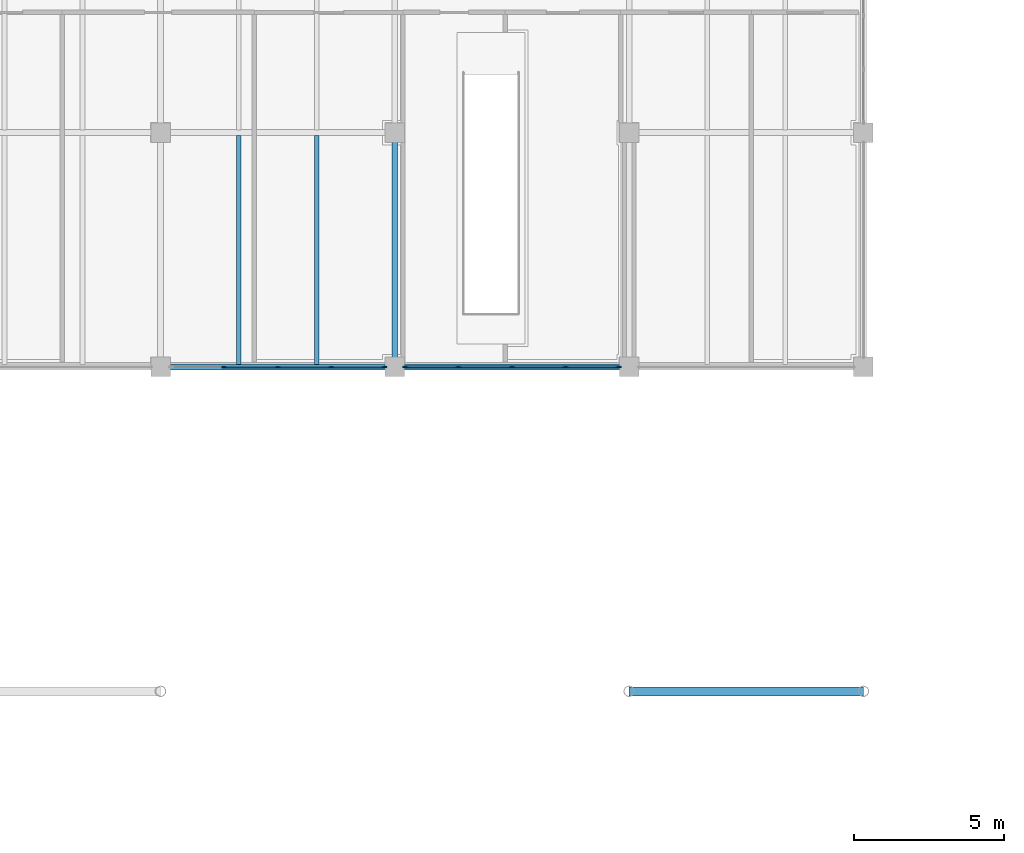
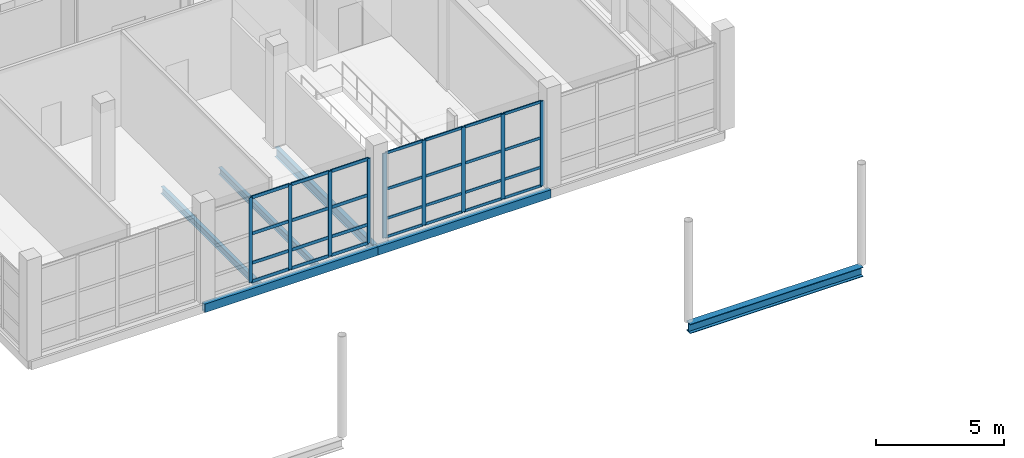
# One storey, part 39 of 138: 37 members, 6 beams, 2 elements without a shape of their own.
"""IFC4 building model written with IfcOpenShell, lengths in metres."""

from ifc_helpers import new_model, si_unit, direction, frame, origin, origin_2d, place, context, subcontext, project, spatial, rectangle, hollow_rectangle, i_section, extrude, material, layer, layer_set, material_profile, profile_set, type_object, element, aggregate, save


model = new_model("IFC4")

# Units and contexts
model_context = context("Model", 3, precision=1e-05, world=origin(), true_north=direction((0.0, 1.0)))
body_context = subcontext(model_context, "Body", "Model", "MODEL_VIEW")
ifc_project = project(units=[si_unit("LENGTHUNIT", "METRE"), si_unit("AREAUNIT", "SQUARE_METRE"), si_unit("VOLUMEUNIT", "CUBIC_METRE"), si_unit("PLANEANGLEUNIT", "RADIAN"), si_unit("MASSUNIT", "GRAM", prefix="KILO")], contexts=[model_context])

# Site, building, storey
site_placement = place(None, origin())
site = spatial("IfcSite", under=ifc_project, at=site_placement, CompositionType="ELEMENT")
building_placement = place(site_placement, origin())
building = spatial("IfcBuilding", under=site, at=building_placement, Name="Celorna Specialist Clinic", CompositionType="ELEMENT")
storey_placement = place(building_placement, frame((0.0, 0.0, 4.800048828125)))
storey = spatial("IfcBuildingStorey", under=building, at=storey_placement, Name="L01", CompositionType="ELEMENT", Elevation=4.800048828125)

# Beams
ifc_material_1 = material(Name="Steel S355", Category="steel")
ifc_material_profile_1 = material_profile(ifc_material_1, i_section(OverallWidth=0.300048828125, OverallDepth=0.449951171875, WebThickness=0.013916015625, FlangeThickness=0.02587890625, at=origin_2d()), Name="HE 450 B")
ifc_profile_set_1 = profile_set([ifc_material_profile_1], Name="Steel S355")
beam_type_1 = type_object("IfcBeamType", Name="BM-05", PredefinedType="BEAM", material=ifc_profile_set_1)
beam_1_placement = place(storey_placement, frame((78.0, 8.699951171875, -0.324951171875), z_axis=(1.0, 0.0, 0.0), x_axis=(0.0, 1.0, 0.0)))
element("IfcBeam", 1, at=beam_1_placement, inside=storey, type_object=beam_type_1, Name="Portico lateral tie girder BM-05 #2", PredefinedType="BEAM", context=body_context, shape_type="SweptSolid", body=[
    extrude(i_section(OverallWidth=0.300048828125, OverallDepth=0.449951171875, WebThickness=0.013916015625, FlangeThickness=0.02587890625, at=origin_2d()), origin(), (0.0, 0.0, 1.0), 7.800048828125),
])
ifc_material_profile_2 = material_profile(ifc_material_1, i_section(OverallWidth=0.18994140625, OverallDepth=0.449951171875, WebThickness=0.009521484375, FlangeThickness=0.0146484375, at=origin_2d()), Name="IPE 450")
ifc_profile_set_2 = profile_set([ifc_material_profile_2], Name="Steel S355")
beam_type_2 = type_object("IfcBeamType", Name="BM-09", PredefinedType="BEAM", material=ifc_profile_set_2)
beam_2_placement = place(storey_placement, frame((70.199951171875, 19.5, -0.485107421875), z_axis=(0.0, 1.0, 0.0), x_axis=(-1.0, 0.0, 0.0)))
element("IfcBeam", 2, at=beam_2_placement, inside=storey, type_object=beam_type_2, Name="Transverse girder BM-09 #2084", PredefinedType="BEAM", context=body_context, shape_type="SweptSolid", body=[
    extrude(i_section(OverallWidth=0.18994140625, OverallDepth=0.449951171875, WebThickness=0.009521484375, FlangeThickness=0.0146484375, at=origin_2d()), origin(), (0.0, 0.0, 1.0), 7.800048828125),
])
ifc_material_profile_3 = material_profile(ifc_material_1, i_section(OverallWidth=0.159912109375, OverallDepth=0.330078125, WebThickness=0.007568359375, FlangeThickness=0.011474609375, at=origin_2d()), Name="IPE 330")
ifc_profile_set_3 = profile_set([ifc_material_profile_3], Name="Steel S355")
beam_type_3 = type_object("IfcBeamType", Name="BM-12", PredefinedType="JOIST", material=ifc_profile_set_3)
for number, where, z_axis, x_axis, name in (
    (3, (65.0, 19.587890625, -0.425048828125), (0.0, 1.0, 0.0), (-1.0, 0.0, 0.0), "Secondary floor joist BM-12 #2098"),
    (4, (67.60009765625, 19.587890625, -0.425048828125), (0.0, 1.0, 0.0), (-1.0, 0.0, 0.0), "Secondary floor joist BM-12 #2099"),
):
    element("IfcBeam", number, at=place(storey_placement, frame(where, z_axis=z_axis, x_axis=x_axis)), inside=storey, type_object=beam_type_3, Name=name, PredefinedType="JOIST", context=body_context, shape_type="SweptSolid", body=[
        extrude(i_section(OverallWidth=0.159912109375, OverallDepth=0.330078125, WebThickness=0.007568359375, FlangeThickness=0.011474609375, at=origin_2d()), origin(), (0.0, 0.0, 1.0), 7.6240234375),
    ])
ifc_material_profile_4 = material_profile(ifc_material_1, hollow_rectangle(XDim=0.199951171875, YDim=0.39990234375, WallThickness=0.011962890625, at=origin_2d()), Name="RHS 200x400x12")
ifc_profile_set_4 = profile_set([ifc_material_profile_4], Name="Steel S355")
beam_type_4 = type_object("IfcBeamType", Name="BM-15", PredefinedType="SPANDREL", material=ifc_profile_set_4)
for number, where, z_axis, x_axis, name in (
    (5, (62.39990234375, 19.5, -0.4599609375), (1.0, 0.0, 0.0), (0.0, 1.0, 0.0), "Spandrel beam BM-15 #2065"),
    (6, (70.199951171875, 19.5, -0.4599609375), (1.0, 0.0, 0.0), (0.0, 1.0, 0.0), "Spandrel beam BM-15 #2066"),
):
    element("IfcBeam", number, at=place(storey_placement, frame(where, z_axis=z_axis, x_axis=x_axis)), inside=storey, type_object=beam_type_4, Name=name, PredefinedType="SPANDREL", context=body_context, shape_type="SweptSolid", body=[
        extrude(hollow_rectangle(XDim=0.199951171875, YDim=0.39990234375, WallThickness=0.011962890625, at=origin_2d()), origin(), (0.0, 0.0, 1.0), 7.800048828125),
    ])

# Curtain wall, members
ifc_material_2 = material(Name="Thermally broken aluminium and solar-control glass curtain wall", Category="aluminium")
ifc_layer_1 = layer(ifc_material_2, 0.159912109375, Name="Thermally broken aluminium and solar-control glass curtain wall")
ifc_layer_set_1 = layer_set([ifc_layer_1], Name="Thermally broken aluminium and solar-control glass curtain wall")
curtain_wall_type_1 = type_object("IfcCurtainWallType", Name="CW-106", PredefinedType="NOTDEFINED", material=ifc_layer_set_1)
curtain_wall_1_placement = place(storey_placement, origin())
curtain_wall_1 = element("IfcCurtainWall", 7, at=curtain_wall_1_placement, inside=storey, type_object=curtain_wall_type_1, Name="Curtain wall CW-106 #187", PredefinedType="NOTDEFINED")
ifc_material_3 = material(Name="Anodized aluminium mullion", Category="aluminium")
ifc_material_profile_5 = material_profile(ifc_material_3, rectangle(XDim=0.050048828125, YDim=0.159912109375, at=origin_2d()), Name="ALU MULLION 50x160")
ifc_profile_set_5 = profile_set([ifc_material_profile_5], Name="Anodized aluminium mullion")
member_type_1 = type_object("IfcMemberType", Name="ML-01", PredefinedType="MULLION", material=ifc_profile_set_5)
member_1_placement = place(storey_placement, frame((69.845947265625, 19.5, 0.0), z_axis=(0.0, 0.0, 1.0), x_axis=(0.0, -1.0, 0.0)))
member_1 = element("IfcMember", 8, at=member_1_placement, type_object=member_type_1, Name="CW-106 mullion 1", PredefinedType="MULLION", context=body_context, shape_type="SweptSolid", body=[
    extrude(rectangle(XDim=0.050048828125, YDim=0.159912109375, at=origin_2d()), origin(), (0.0, 0.0, 1.0), 4.0400390625),
])
member_2_placement = place(storey_placement, frame((68.08544921875, 19.5, 0.0), z_axis=(0.0, 0.0, 1.0), x_axis=(0.0, -1.0, 0.0)))
member_2 = element("IfcMember", 9, at=member_2_placement, type_object=member_type_1, Name="CW-106 mullion 2", PredefinedType="MULLION", context=body_context, shape_type="SweptSolid", body=[
    extrude(rectangle(XDim=0.050048828125, YDim=0.159912109375, at=origin_2d()), origin(), (0.0, 0.0, 1.0), 4.0400390625),
])
member_3_placement = place(storey_placement, frame((66.300048828125, 19.5, 0.0), z_axis=(0.0, 0.0, 1.0), x_axis=(0.0, -1.0, 0.0)))
member_3 = element("IfcMember", 10, at=member_3_placement, type_object=member_type_1, Name="CW-106 mullion 3", PredefinedType="MULLION", context=body_context, shape_type="SweptSolid", body=[
    extrude(rectangle(XDim=0.050048828125, YDim=0.159912109375, at=origin_2d()), origin(), (0.0, 0.0, 1.0), 4.0400390625),
])
member_4_placement = place(storey_placement, frame((64.514404296875, 19.5, 0.0), z_axis=(0.0, 0.0, 1.0), x_axis=(0.0, -1.0, 0.0)))
member_4 = element("IfcMember", 11, at=member_4_placement, type_object=member_type_1, Name="CW-106 mullion 4", PredefinedType="MULLION", context=body_context, shape_type="SweptSolid", body=[
    extrude(rectangle(XDim=0.050048828125, YDim=0.159912109375, at=origin_2d()), origin(), (0.0, 0.0, 1.0), 4.0400390625),
])

ifc_layer_2 = layer(ifc_material_2, 0.159912109375, Name="Thermally broken aluminium and solar-control glass curtain wall")
ifc_layer_set_2 = layer_set([ifc_layer_2], Name="Thermally broken aluminium and solar-control glass curtain wall")
curtain_wall_type_2 = type_object("IfcCurtainWallType", Name="CW-107", PredefinedType="NOTDEFINED", material=ifc_layer_set_2)
curtain_wall_2_placement = place(storey_placement, origin())
curtain_wall_2 = element("IfcCurtainWall", 12, at=curtain_wall_2_placement, inside=storey, type_object=curtain_wall_type_2, Name="Curtain wall CW-107 #188", PredefinedType="NOTDEFINED")
ifc_material_profile_6 = material_profile(ifc_material_3, rectangle(XDim=0.050048828125, YDim=0.179931640625, at=origin_2d()), Name="ALU MULLION 50x180")
ifc_profile_set_6 = profile_set([ifc_material_profile_6], Name="Anodized aluminium mullion")
member_type_2 = type_object("IfcMemberType", Name="ML-02", PredefinedType="MULLION", material=ifc_profile_set_6)
member_5_placement = place(storey_placement, frame((77.64599609375, 19.5, 0.0), z_axis=(0.0, 0.0, 1.0), x_axis=(0.0, -1.0, 0.0)))
member_5 = element("IfcMember", 13, at=member_5_placement, type_object=member_type_2, Name="CW-107 mullion 1", PredefinedType="MULLION", context=body_context, shape_type="SweptSolid", body=[
    extrude(rectangle(XDim=0.050048828125, YDim=0.179931640625, at=origin_2d()), origin(), (0.0, 0.0, 1.0), 4.0400390625),
])
member_6_placement = place(storey_placement, frame((75.885498046875, 19.5, 0.0), z_axis=(0.0, 0.0, 1.0), x_axis=(0.0, -1.0, 0.0)))
member_6 = element("IfcMember", 14, at=member_6_placement, type_object=member_type_2, Name="CW-107 mullion 2", PredefinedType="MULLION", context=body_context, shape_type="SweptSolid", body=[
    extrude(rectangle(XDim=0.050048828125, YDim=0.179931640625, at=origin_2d()), origin(), (0.0, 0.0, 1.0), 4.0400390625),
])
member_7_placement = place(storey_placement, frame((74.10009765625, 19.5, 0.0), z_axis=(0.0, 0.0, 1.0), x_axis=(0.0, -1.0, 0.0)))
member_7 = element("IfcMember", 15, at=member_7_placement, type_object=member_type_2, Name="CW-107 mullion 3", PredefinedType="MULLION", context=body_context, shape_type="SweptSolid", body=[
    extrude(rectangle(XDim=0.050048828125, YDim=0.179931640625, at=origin_2d()), origin(), (0.0, 0.0, 1.0), 4.0400390625),
])
member_8_placement = place(storey_placement, frame((72.314453125, 19.5, 0.0), z_axis=(0.0, 0.0, 1.0), x_axis=(0.0, -1.0, 0.0)))
member_8 = element("IfcMember", 16, at=member_8_placement, type_object=member_type_2, Name="CW-107 mullion 4", PredefinedType="MULLION", context=body_context, shape_type="SweptSolid", body=[
    extrude(rectangle(XDim=0.050048828125, YDim=0.179931640625, at=origin_2d()), origin(), (0.0, 0.0, 1.0), 4.0400390625),
])
member_9_placement = place(storey_placement, frame((70.553955078125, 19.5, 0.0), z_axis=(0.0, 0.0, 1.0), x_axis=(0.0, -1.0, 0.0)))
member_9 = element("IfcMember", 17, at=member_9_placement, type_object=member_type_2, Name="CW-107 mullion 5", PredefinedType="MULLION", context=body_context, shape_type="SweptSolid", body=[
    extrude(rectangle(XDim=0.050048828125, YDim=0.179931640625, at=origin_2d()), origin(), (0.0, 0.0, 1.0), 4.0400390625),
])
ifc_material_4 = material(Name="Anodized aluminium transom", Category="aluminium")
ifc_material_profile_7 = material_profile(ifc_material_4, rectangle(XDim=0.050048828125, YDim=0.1298828125, at=origin_2d()), Name="ALU TRANSOM 50x130")
ifc_profile_set_7 = profile_set([ifc_material_profile_7], Name="Anodized aluminium transom")
member_type_3 = type_object("IfcMemberType", Name="TR-01", PredefinedType="USERDEFINED", material=ifc_profile_set_7)
member_10_placement = place(storey_placement, frame((77.62109375, 19.5, 0.02490234375), z_axis=(-1.0, 0.0, 0.0), x_axis=(0.0, -1.0, 0.0)))
member_10 = element("IfcMember", 18, at=member_10_placement, type_object=member_type_3, Name="CW-107 transom 1.1", ObjectType="TRANSOM", PredefinedType="USERDEFINED", context=body_context, shape_type="SweptSolid", body=[
    extrude(rectangle(XDim=0.050048828125, YDim=0.1298828125, at=origin_2d()), origin(), (0.0, 0.0, 1.0), 1.710693359375),
])
member_11_placement = place(storey_placement, frame((77.62109375, 19.5, 0.89990234375), z_axis=(-1.0, 0.0, 0.0), x_axis=(0.0, -1.0, 0.0)))
member_11 = element("IfcMember", 19, at=member_11_placement, type_object=member_type_3, Name="CW-107 transom 1.2", ObjectType="TRANSOM", PredefinedType="USERDEFINED", context=body_context, shape_type="SweptSolid", body=[
    extrude(rectangle(XDim=0.050048828125, YDim=0.1298828125, at=origin_2d()), origin(), (0.0, 0.0, 1.0), 1.710693359375),
])
member_12_placement = place(storey_placement, frame((77.62109375, 19.5, 2.300048828125), z_axis=(-1.0, 0.0, 0.0), x_axis=(0.0, -1.0, 0.0)))
member_12 = element("IfcMember", 20, at=member_12_placement, type_object=member_type_3, Name="CW-107 transom 1.3", ObjectType="TRANSOM", PredefinedType="USERDEFINED", context=body_context, shape_type="SweptSolid", body=[
    extrude(rectangle(XDim=0.050048828125, YDim=0.1298828125, at=origin_2d()), origin(), (0.0, 0.0, 1.0), 1.710693359375),
])
member_13_placement = place(storey_placement, frame((77.62109375, 19.5, 4.014892578125), z_axis=(-1.0, 0.0, 0.0), x_axis=(0.0, -1.0, 0.0)))
member_13 = element("IfcMember", 21, at=member_13_placement, type_object=member_type_3, Name="CW-107 transom 1.4", ObjectType="TRANSOM", PredefinedType="USERDEFINED", context=body_context, shape_type="SweptSolid", body=[
    extrude(rectangle(XDim=0.050048828125, YDim=0.1298828125, at=origin_2d()), origin(), (0.0, 0.0, 1.0), 1.710693359375),
])
member_14_placement = place(storey_placement, frame((75.860595703125, 19.5, 0.02490234375), z_axis=(-1.0, 0.0, 0.0), x_axis=(0.0, -1.0, 0.0)))
member_14 = element("IfcMember", 22, at=member_14_placement, type_object=member_type_3, Name="CW-107 transom 2.1", ObjectType="TRANSOM", PredefinedType="USERDEFINED", context=body_context, shape_type="SweptSolid", body=[
    extrude(rectangle(XDim=0.050048828125, YDim=0.1298828125, at=origin_2d()), origin(), (0.0, 0.0, 1.0), 1.735595703125),
])
member_15_placement = place(storey_placement, frame((75.860595703125, 19.5, 0.89990234375), z_axis=(-1.0, 0.0, 0.0), x_axis=(0.0, -1.0, 0.0)))
member_15 = element("IfcMember", 23, at=member_15_placement, type_object=member_type_3, Name="CW-107 transom 2.2", ObjectType="TRANSOM", PredefinedType="USERDEFINED", context=body_context, shape_type="SweptSolid", body=[
    extrude(rectangle(XDim=0.050048828125, YDim=0.1298828125, at=origin_2d()), origin(), (0.0, 0.0, 1.0), 1.735595703125),
])
member_16_placement = place(storey_placement, frame((75.860595703125, 19.5, 2.300048828125), z_axis=(-1.0, 0.0, 0.0), x_axis=(0.0, -1.0, 0.0)))
member_16 = element("IfcMember", 24, at=member_16_placement, type_object=member_type_3, Name="CW-107 transom 2.3", ObjectType="TRANSOM", PredefinedType="USERDEFINED", context=body_context, shape_type="SweptSolid", body=[
    extrude(rectangle(XDim=0.050048828125, YDim=0.1298828125, at=origin_2d()), origin(), (0.0, 0.0, 1.0), 1.735595703125),
])
member_17_placement = place(storey_placement, frame((75.860595703125, 19.5, 4.014892578125), z_axis=(-1.0, 0.0, 0.0), x_axis=(0.0, -1.0, 0.0)))
member_17 = element("IfcMember", 25, at=member_17_placement, type_object=member_type_3, Name="CW-107 transom 2.4", ObjectType="TRANSOM", PredefinedType="USERDEFINED", context=body_context, shape_type="SweptSolid", body=[
    extrude(rectangle(XDim=0.050048828125, YDim=0.1298828125, at=origin_2d()), origin(), (0.0, 0.0, 1.0), 1.735595703125),
])
member_18_placement = place(storey_placement, frame((74.074951171875, 19.5, 0.02490234375), z_axis=(-1.0, 0.0, 0.0), x_axis=(0.0, -1.0, 0.0)))
member_18 = element("IfcMember", 26, at=member_18_placement, type_object=member_type_3, Name="CW-107 transom 3.1", ObjectType="TRANSOM", PredefinedType="USERDEFINED", context=body_context, shape_type="SweptSolid", body=[
    extrude(rectangle(XDim=0.050048828125, YDim=0.1298828125, at=origin_2d()), origin(), (0.0, 0.0, 1.0), 1.7353515625),
])
member_19_placement = place(storey_placement, frame((74.074951171875, 19.5, 0.89990234375), z_axis=(-1.0, 0.0, 0.0), x_axis=(0.0, -1.0, 0.0)))
member_19 = element("IfcMember", 27, at=member_19_placement, type_object=member_type_3, Name="CW-107 transom 3.2", ObjectType="TRANSOM", PredefinedType="USERDEFINED", context=body_context, shape_type="SweptSolid", body=[
    extrude(rectangle(XDim=0.050048828125, YDim=0.1298828125, at=origin_2d()), origin(), (0.0, 0.0, 1.0), 1.7353515625),
])
member_20_placement = place(storey_placement, frame((74.074951171875, 19.5, 2.300048828125), z_axis=(-1.0, 0.0, 0.0), x_axis=(0.0, -1.0, 0.0)))
member_20 = element("IfcMember", 28, at=member_20_placement, type_object=member_type_3, Name="CW-107 transom 3.3", ObjectType="TRANSOM", PredefinedType="USERDEFINED", context=body_context, shape_type="SweptSolid", body=[
    extrude(rectangle(XDim=0.050048828125, YDim=0.1298828125, at=origin_2d()), origin(), (0.0, 0.0, 1.0), 1.7353515625),
])
member_21_placement = place(storey_placement, frame((74.074951171875, 19.5, 4.014892578125), z_axis=(-1.0, 0.0, 0.0), x_axis=(0.0, -1.0, 0.0)))
member_21 = element("IfcMember", 29, at=member_21_placement, type_object=member_type_3, Name="CW-107 transom 3.4", ObjectType="TRANSOM", PredefinedType="USERDEFINED", context=body_context, shape_type="SweptSolid", body=[
    extrude(rectangle(XDim=0.050048828125, YDim=0.1298828125, at=origin_2d()), origin(), (0.0, 0.0, 1.0), 1.7353515625),
])
member_22_placement = place(storey_placement, frame((72.28955078125, 19.5, 0.02490234375), z_axis=(-1.0, 0.0, 0.0), x_axis=(0.0, -1.0, 0.0)))
member_22 = element("IfcMember", 30, at=member_22_placement, type_object=member_type_3, Name="CW-107 transom 4.1", ObjectType="TRANSOM", PredefinedType="USERDEFINED", context=body_context, shape_type="SweptSolid", body=[
    extrude(rectangle(XDim=0.050048828125, YDim=0.1298828125, at=origin_2d()), origin(), (0.0, 0.0, 1.0), 1.71044921875),
])
member_23_placement = place(storey_placement, frame((72.28955078125, 19.5, 0.89990234375), z_axis=(-1.0, 0.0, 0.0), x_axis=(0.0, -1.0, 0.0)))
member_23 = element("IfcMember", 31, at=member_23_placement, type_object=member_type_3, Name="CW-107 transom 4.2", ObjectType="TRANSOM", PredefinedType="USERDEFINED", context=body_context, shape_type="SweptSolid", body=[
    extrude(rectangle(XDim=0.050048828125, YDim=0.1298828125, at=origin_2d()), origin(), (0.0, 0.0, 1.0), 1.71044921875),
])
member_24_placement = place(storey_placement, frame((72.28955078125, 19.5, 2.300048828125), z_axis=(-1.0, 0.0, 0.0), x_axis=(0.0, -1.0, 0.0)))
member_24 = element("IfcMember", 32, at=member_24_placement, type_object=member_type_3, Name="CW-107 transom 4.3", ObjectType="TRANSOM", PredefinedType="USERDEFINED", context=body_context, shape_type="SweptSolid", body=[
    extrude(rectangle(XDim=0.050048828125, YDim=0.1298828125, at=origin_2d()), origin(), (0.0, 0.0, 1.0), 1.71044921875),
])
member_25_placement = place(storey_placement, frame((72.28955078125, 19.5, 4.014892578125), z_axis=(-1.0, 0.0, 0.0), x_axis=(0.0, -1.0, 0.0)))
member_25 = element("IfcMember", 33, at=member_25_placement, type_object=member_type_3, Name="CW-107 transom 4.4", ObjectType="TRANSOM", PredefinedType="USERDEFINED", context=body_context, shape_type="SweptSolid", body=[
    extrude(rectangle(XDim=0.050048828125, YDim=0.1298828125, at=origin_2d()), origin(), (0.0, 0.0, 1.0), 1.71044921875),
])
aggregate(curtain_wall_2, [member_5, member_6, member_7, member_8, member_9, member_10, member_11, member_12, member_13, member_14, member_15, member_16, member_17, member_18, member_19, member_20, member_21, member_22, member_23, member_24, member_25])

# Member
ifc_material_profile_8 = material_profile(ifc_material_4, rectangle(XDim=0.050048828125, YDim=0.14990234375, at=origin_2d()), Name="ALU TRANSOM 50x150")
ifc_profile_set_8 = profile_set([ifc_material_profile_8], Name="Anodized aluminium transom")
member_type_4 = type_object("IfcMemberType", Name="TR-02", PredefinedType="USERDEFINED", material=ifc_profile_set_8)
member_26_placement = place(storey_placement, frame((69.821044921875, 19.5, 0.02490234375), z_axis=(-1.0, 0.0, 0.0), x_axis=(0.0, -1.0, 0.0)))
member_26 = element("IfcMember", 34, at=member_26_placement, type_object=member_type_4, Name="CW-106 transom 1.1", ObjectType="TRANSOM", PredefinedType="USERDEFINED", context=body_context, shape_type="SweptSolid", body=[
    extrude(rectangle(XDim=0.050048828125, YDim=0.14990234375, at=origin_2d()), origin(), (0.0, 0.0, 1.0), 1.71044921875),
])

member_27_placement = place(storey_placement, frame((69.821044921875, 19.5, 0.89990234375), z_axis=(-1.0, 0.0, 0.0), x_axis=(0.0, -1.0, 0.0)))
member_27 = element("IfcMember", 35, at=member_27_placement, type_object=member_type_4, Name="CW-106 transom 1.2", ObjectType="TRANSOM", PredefinedType="USERDEFINED", context=body_context, shape_type="SweptSolid", body=[
    extrude(rectangle(XDim=0.050048828125, YDim=0.14990234375, at=origin_2d()), origin(), (0.0, 0.0, 1.0), 1.71044921875),
])

member_28_placement = place(storey_placement, frame((69.821044921875, 19.5, 2.300048828125), z_axis=(-1.0, 0.0, 0.0), x_axis=(0.0, -1.0, 0.0)))
member_28 = element("IfcMember", 36, at=member_28_placement, type_object=member_type_4, Name="CW-106 transom 1.3", ObjectType="TRANSOM", PredefinedType="USERDEFINED", context=body_context, shape_type="SweptSolid", body=[
    extrude(rectangle(XDim=0.050048828125, YDim=0.14990234375, at=origin_2d()), origin(), (0.0, 0.0, 1.0), 1.71044921875),
])

member_29_placement = place(storey_placement, frame((69.821044921875, 19.5, 4.014892578125), z_axis=(-1.0, 0.0, 0.0), x_axis=(0.0, -1.0, 0.0)))
member_29 = element("IfcMember", 37, at=member_29_placement, type_object=member_type_4, Name="CW-106 transom 1.4", ObjectType="TRANSOM", PredefinedType="USERDEFINED", context=body_context, shape_type="SweptSolid", body=[
    extrude(rectangle(XDim=0.050048828125, YDim=0.14990234375, at=origin_2d()), origin(), (0.0, 0.0, 1.0), 1.71044921875),
])

member_30_placement = place(storey_placement, frame((68.060546875, 19.5, 0.02490234375), z_axis=(-1.0, 0.0, 0.0), x_axis=(0.0, -1.0, 0.0)))
member_30 = element("IfcMember", 38, at=member_30_placement, type_object=member_type_4, Name="CW-106 transom 2.1", ObjectType="TRANSOM", PredefinedType="USERDEFINED", context=body_context, shape_type="SweptSolid", body=[
    extrude(rectangle(XDim=0.050048828125, YDim=0.14990234375, at=origin_2d()), origin(), (0.0, 0.0, 1.0), 1.735595703125),
])

member_31_placement = place(storey_placement, frame((68.060546875, 19.5, 0.89990234375), z_axis=(-1.0, 0.0, 0.0), x_axis=(0.0, -1.0, 0.0)))
member_31 = element("IfcMember", 39, at=member_31_placement, type_object=member_type_4, Name="CW-106 transom 2.2", ObjectType="TRANSOM", PredefinedType="USERDEFINED", context=body_context, shape_type="SweptSolid", body=[
    extrude(rectangle(XDim=0.050048828125, YDim=0.14990234375, at=origin_2d()), origin(), (0.0, 0.0, 1.0), 1.735595703125),
])

member_32_placement = place(storey_placement, frame((68.060546875, 19.5, 2.300048828125), z_axis=(-1.0, 0.0, 0.0), x_axis=(0.0, -1.0, 0.0)))
member_32 = element("IfcMember", 40, at=member_32_placement, type_object=member_type_4, Name="CW-106 transom 2.3", ObjectType="TRANSOM", PredefinedType="USERDEFINED", context=body_context, shape_type="SweptSolid", body=[
    extrude(rectangle(XDim=0.050048828125, YDim=0.14990234375, at=origin_2d()), origin(), (0.0, 0.0, 1.0), 1.735595703125),
])

member_33_placement = place(storey_placement, frame((68.060546875, 19.5, 4.014892578125), z_axis=(-1.0, 0.0, 0.0), x_axis=(0.0, -1.0, 0.0)))
member_33 = element("IfcMember", 41, at=member_33_placement, type_object=member_type_4, Name="CW-106 transom 2.4", ObjectType="TRANSOM", PredefinedType="USERDEFINED", context=body_context, shape_type="SweptSolid", body=[
    extrude(rectangle(XDim=0.050048828125, YDim=0.14990234375, at=origin_2d()), origin(), (0.0, 0.0, 1.0), 1.735595703125),
])

member_34_placement = place(storey_placement, frame((66.27490234375, 19.5, 0.02490234375), z_axis=(-1.0, 0.0, 0.0), x_axis=(0.0, -1.0, 0.0)))
member_34 = element("IfcMember", 42, at=member_34_placement, type_object=member_type_4, Name="CW-106 transom 3.1", ObjectType="TRANSOM", PredefinedType="USERDEFINED", context=body_context, shape_type="SweptSolid", body=[
    extrude(rectangle(XDim=0.050048828125, YDim=0.14990234375, at=origin_2d()), origin(), (0.0, 0.0, 1.0), 1.7353515625),
])

member_35_placement = place(storey_placement, frame((66.27490234375, 19.5, 0.89990234375), z_axis=(-1.0, 0.0, 0.0), x_axis=(0.0, -1.0, 0.0)))
member_35 = element("IfcMember", 43, at=member_35_placement, type_object=member_type_4, Name="CW-106 transom 3.2", ObjectType="TRANSOM", PredefinedType="USERDEFINED", context=body_context, shape_type="SweptSolid", body=[
    extrude(rectangle(XDim=0.050048828125, YDim=0.14990234375, at=origin_2d()), origin(), (0.0, 0.0, 1.0), 1.7353515625),
])

member_36_placement = place(storey_placement, frame((66.27490234375, 19.5, 2.300048828125), z_axis=(-1.0, 0.0, 0.0), x_axis=(0.0, -1.0, 0.0)))
member_36 = element("IfcMember", 44, at=member_36_placement, type_object=member_type_4, Name="CW-106 transom 3.3", ObjectType="TRANSOM", PredefinedType="USERDEFINED", context=body_context, shape_type="SweptSolid", body=[
    extrude(rectangle(XDim=0.050048828125, YDim=0.14990234375, at=origin_2d()), origin(), (0.0, 0.0, 1.0), 1.7353515625),
])

member_37_placement = place(storey_placement, frame((66.27490234375, 19.5, 4.014892578125), z_axis=(-1.0, 0.0, 0.0), x_axis=(0.0, -1.0, 0.0)))
member_37 = element("IfcMember", 45, at=member_37_placement, type_object=member_type_4, Name="CW-106 transom 3.4", ObjectType="TRANSOM", PredefinedType="USERDEFINED", context=body_context, shape_type="SweptSolid", body=[
    extrude(rectangle(XDim=0.050048828125, YDim=0.14990234375, at=origin_2d()), origin(), (0.0, 0.0, 1.0), 1.7353515625),
])

aggregate(curtain_wall_1, [member_1, member_2, member_3, member_4, member_26, member_27, member_28, member_29, member_30, member_31, member_32, member_33, member_34, member_35, member_36, member_37])

save(model, "model.ifc")
